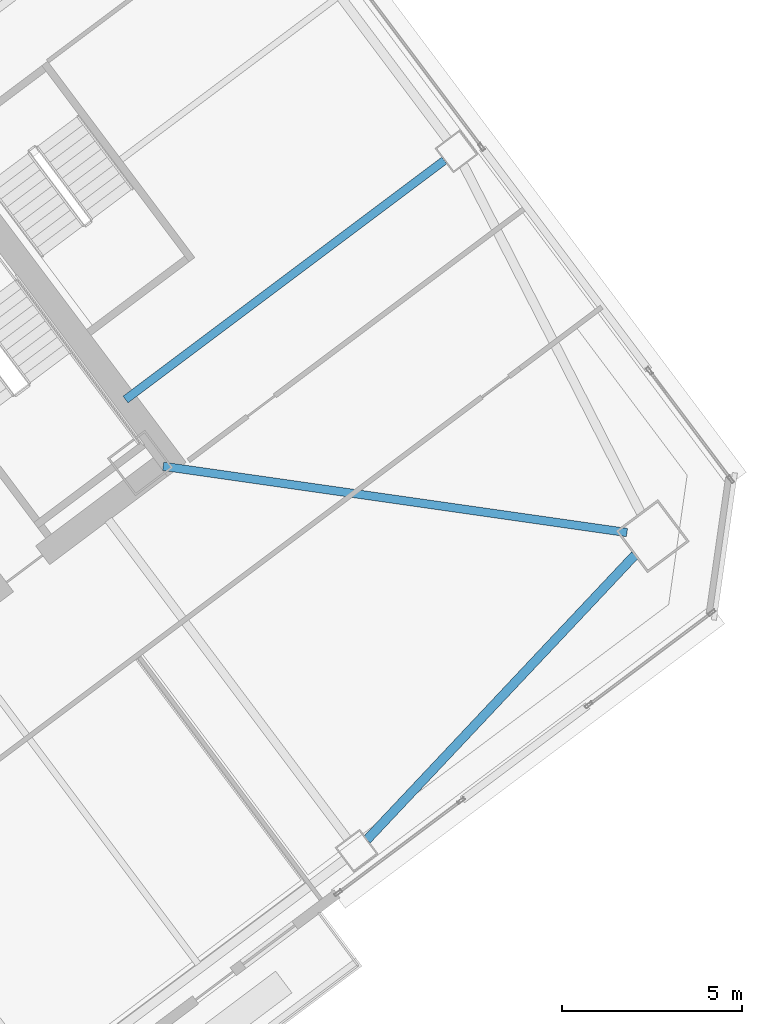
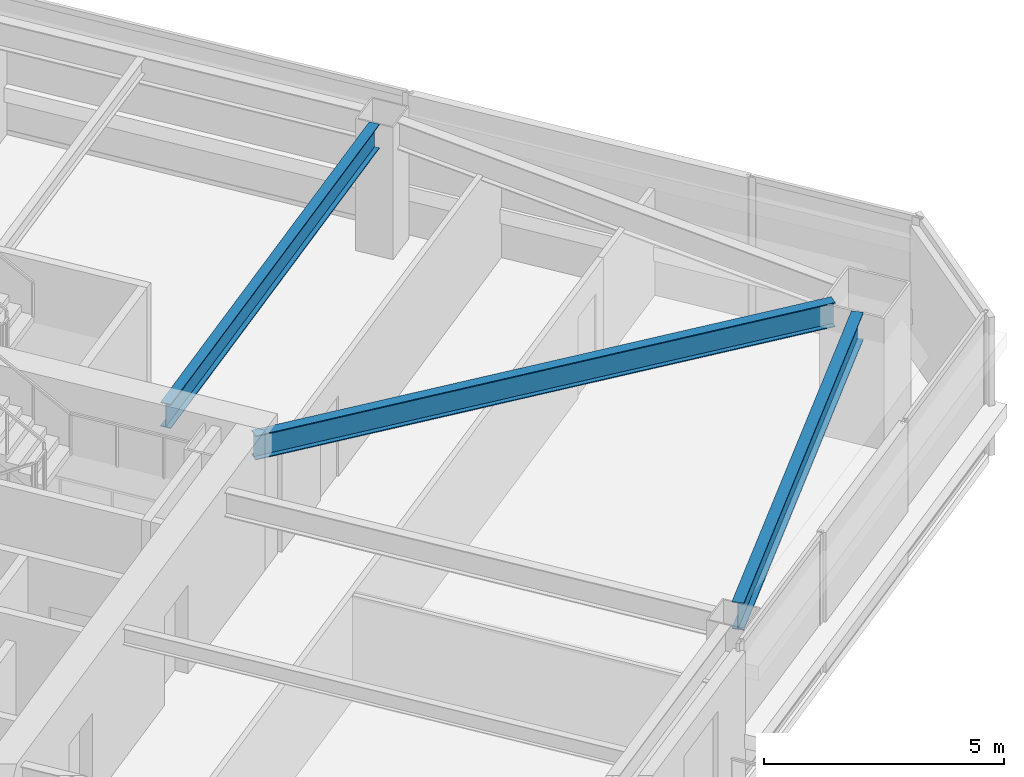
# One storey, part 27 of 47: 3 beams.
"""IFC4 building model written with IfcOpenShell, lengths in metres."""

from ifc_helpers import new_model, si_unit, direction, frame, origin, origin_2d, place, context, subcontext, project, spatial, i_section, extrude, material, material_profile, profile_set, type_object, element, save


model = new_model("IFC4")

# Units and contexts
model_context = context("Model", 3, precision=1e-05, world=origin(), true_north=direction((0.0, 1.0)))
body_context = subcontext(model_context, "Body", "Model", "MODEL_VIEW")
ifc_project = project(units=[si_unit("LENGTHUNIT", "METRE"), si_unit("AREAUNIT", "SQUARE_METRE"), si_unit("VOLUMEUNIT", "CUBIC_METRE"), si_unit("PLANEANGLEUNIT", "RADIAN"), si_unit("MASSUNIT", "GRAM", prefix="KILO")], contexts=[model_context])

# Site, building, storey
site_placement = place(None, origin())
site = spatial("IfcSite", under=ifc_project, at=site_placement, CompositionType="ELEMENT")
building_placement = place(site_placement, origin())
building = spatial("IfcBuilding", under=site, at=building_placement, Name="Tashvorn Skyway Center", CompositionType="ELEMENT")
storey_placement = place(building_placement, frame((0.0, 0.0, 81.39990234375)))
storey = spatial("IfcBuildingStorey", under=building, at=storey_placement, Name="L21", CompositionType="ELEMENT", Elevation=81.39990234375)

# Beams
ifc_material = material(Name="Steel ASTM A992 Grade 50", Category="steel")
ifc_material_profile_1 = material_profile(ifc_material, i_section(OverallWidth=0.22998046875, OverallDepth=0.616943359375, WebThickness=0.01318359375, FlangeThickness=0.022216796875, at=origin_2d()), Name="W24X94")
ifc_profile_set_1 = profile_set([ifc_material_profile_1], Name="Steel ASTM A992 Grade 50")
beam_type_1 = type_object("IfcBeamType", Name="BM-BEAM-W24X94", PredefinedType="BEAM", material=ifc_profile_set_1)
beam_1_placement = place(storey_placement, frame((137.3671875, 28.661865234375, 3.04150390625), z_axis=(-0.989949869571, 0.141418724841, 0.0), x_axis=(-0.141418724841, -0.989949869571, 0.0)))
element("IfcBeam", 1, at=beam_1_placement, inside=storey, type_object=beam_type_1, Name="Tower 2 L21 Primary Floor Girder MC-SE", PredefinedType="BEAM", context=body_context, shape_type="SweptSolid", body=[
    extrude(i_section(OverallWidth=0.22998046875, OverallDepth=0.616943359375, WebThickness=0.01318359375, FlangeThickness=0.022216796875, at=origin_2d()), origin(), (0.0, 0.0, 1.0), 12.9892578125),
])
beam_2_placement = place(storey_placement, frame((132.303955078125, 38.97802734375, 3.04150390625), z_axis=(-0.799989394625, -0.60001414024, 0.0), x_axis=(0.60001414024, -0.799989394625, 0.0)))
element("IfcBeam", 2, at=beam_2_placement, inside=storey, type_object=beam_type_1, Name="Tower 2 L21 Primary Floor Girder FC-E1", PredefinedType="BEAM", context=body_context, shape_type="SweptSolid", body=[
    extrude(i_section(OverallWidth=0.22998046875, OverallDepth=0.616943359375, WebThickness=0.01318359375, FlangeThickness=0.022216796875, at=origin_2d()), origin(), (0.0, 0.0, 1.0), 11.050048828125),
])
ifc_material_profile_2 = material_profile(ifc_material, i_section(OverallWidth=0.256103515625, OverallDepth=0.693115234375, WebThickness=0.014404296875, FlangeThickness=0.023681640625, at=origin_2d()), Name="W27X114")
ifc_profile_set_2 = profile_set([ifc_material_profile_2], Name="Steel ASTM A992 Grade 50")
beam_type_2 = type_object("IfcBeamType", Name="BM-SPANDREL-W27X114", PredefinedType="SPANDREL", material=ifc_profile_set_2)
beam_3_placement = place(storey_placement, frame((130.157958984375, 20.145751953125, 3.003662109375), z_axis=(0.685484857238, 0.728086883893, 0.0), x_axis=(-0.728086883893, 0.685484857238, 0.0)))
element("IfcBeam", 3, at=beam_3_placement, inside=storey, type_object=beam_type_2, Name="Tower 2 L21 Spandrel Beam 03", PredefinedType="SPANDREL", context=body_context, shape_type="SweptSolid", body=[
    extrude(i_section(OverallWidth=0.256103515625, OverallDepth=0.693115234375, WebThickness=0.014404296875, FlangeThickness=0.023681640625, at=origin_2d()), origin(), (0.0, 0.0, 1.0), 10.8369140625),
])

save(model, "model.ifc")
